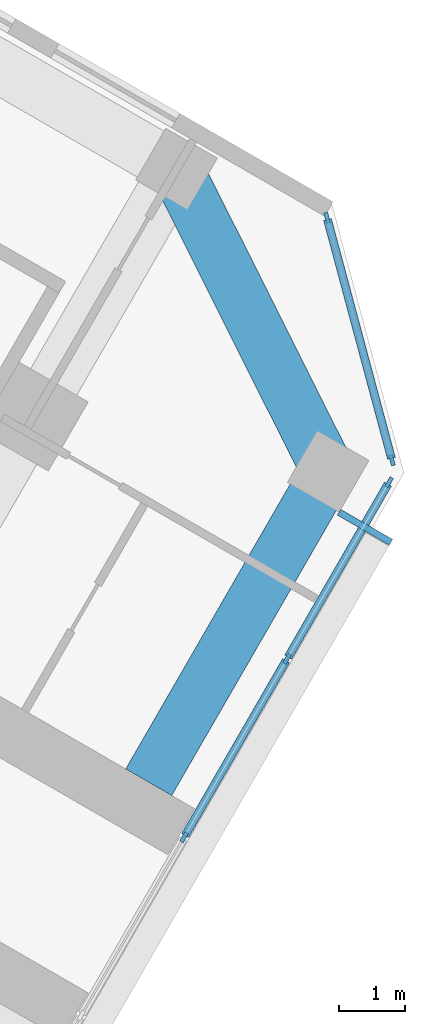
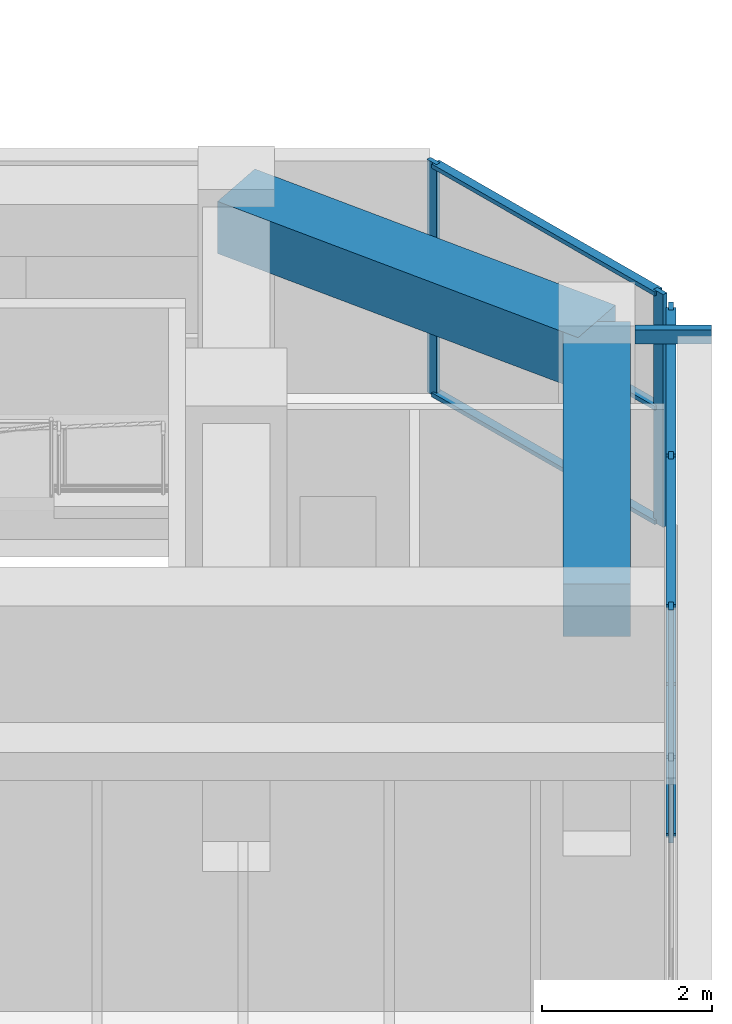
# One storey, part 8 of 20: 13 members, 2 beams, 2 elements without a shape of their own.
"""IFC4 building model written with IfcOpenShell, lengths in metres."""

from ifc_helpers import new_model, si_unit, direction, frame, origin, origin_2d, place, context, subcontext, project, spatial, rectangle, hollow_rectangle, extrude, material, material_profile, profile_set, type_object, element, aggregate, save


model = new_model("IFC4")

# Units and contexts
model_context = context("Model", 3, precision=1e-05, world=origin(), true_north=direction((0.0, 1.0)))
body_context = subcontext(model_context, "Body", "Model", "MODEL_VIEW")
ifc_project = project(units=[si_unit("LENGTHUNIT", "METRE"), si_unit("AREAUNIT", "SQUARE_METRE"), si_unit("VOLUMEUNIT", "CUBIC_METRE"), si_unit("PLANEANGLEUNIT", "RADIAN"), si_unit("MASSUNIT", "GRAM", prefix="KILO")], contexts=[model_context])

# Site, building, storey
site_placement = place(None, origin())
site = spatial("IfcSite", under=ifc_project, at=site_placement, CompositionType="ELEMENT")
building_placement = place(site_placement, origin())
building = spatial("IfcBuilding", under=site, at=building_placement, Name="Kosmar Iwan School Tower", CompositionType="ELEMENT")
storey_placement = place(building_placement, frame((0.0, 0.0, 176.0)))
storey = spatial("IfcBuildingStorey", under=building, at=storey_placement, Name="L44", CompositionType="ELEMENT", Elevation=176.0)

# Member
ifc_material_1 = material(Name="Steel S355", Category="steel")
ifc_material_profile_1 = material_profile(ifc_material_1, hollow_rectangle(XDim=0.10009765625, YDim=0.199951171875, WallThickness=0.008056640625, at=origin_2d()), Name="RHS 200x100x8")
ifc_profile_set_1 = profile_set([ifc_material_profile_1], Name="Steel S355")
member_type_1 = type_object("IfcMemberType", Name="Fin bracket RHS 200x100", PredefinedType="USERDEFINED", material=ifc_profile_set_1)
member_1_placement = place(storey_placement, frame((32.963134765625, -11.006103515625, 3.47509765625), z_axis=(0.866081705922, -0.499902469156, 0.0), x_axis=(0.499902469156, 0.866081705922, 0.0)))
element("IfcMember", 1, at=member_1_placement, inside=storey, type_object=member_type_1, Name="Fin bracket L45", ObjectType="FIN BRACKET", PredefinedType="USERDEFINED", context=body_context, shape_type="SweptSolid", body=[
    extrude(hollow_rectangle(XDim=0.10009765625, YDim=0.199951171875, WallThickness=0.008056640625, at=origin_2d()), origin(), (0.0, 0.0, 1.0), 0.900146484375),
])

# Curtain wall, members
ifc_material_2 = material(Name="Dark glass in black aluminium frame", Category="aluminium")
curtain_wall_type_1 = type_object("IfcCurtainWallType", Name="Tower curtain wall dark glass", PredefinedType="USERDEFINED", material=ifc_material_2)
curtain_wall_1_placement = place(storey_placement, origin())
curtain_wall_1 = element("IfcCurtainWall", 2, at=curtain_wall_1_placement, inside=storey, type_object=curtain_wall_type_1, Name="Curtain wall L44-F03", ObjectType="UNITISED CURTAIN WALL", PredefinedType="USERDEFINED")
ifc_material_3 = material(Name="Black anodised aluminium", Category="aluminium")
ifc_material_profile_2 = material_profile(ifc_material_3, rectangle(XDim=0.06005859375, YDim=0.159912109375, at=origin_2d()), Name="MULLION 60x160")
ifc_profile_set_2 = profile_set([ifc_material_profile_2], Name="Black anodised aluminium")
member_type_2 = type_object("IfcMemberType", Name="Mullion 60x160", PredefinedType="MULLION", material=ifc_profile_set_2)
member_2_placement = place(storey_placement, frame((30.631103515625, -15.8955078125, 0.0), z_axis=(0.0, 0.0, 1.0), x_axis=(-0.866025405329, 0.499999997325, 0.0)))
member_2 = element("IfcMember", 3, at=member_2_placement, type_object=member_type_2, Name="CW1 mullion 4", PredefinedType="MULLION", context=body_context, shape_type="SweptSolid", body=[
    extrude(rectangle(XDim=0.06005859375, YDim=0.159912109375, at=origin_2d()), origin(), (0.0, 0.0, 1.0), 3.35009765625),
])
member_3_placement = place(storey_placement, frame((32.1806640625, -13.21142578125, 0.0), z_axis=(0.0, 0.0, 1.0), x_axis=(-0.866025405329, 0.499999997325, 0.0)))
member_3 = element("IfcMember", 4, at=member_3_placement, type_object=member_type_2, Name="CW1 mullion 5", PredefinedType="MULLION", context=body_context, shape_type="SweptSolid", body=[
    extrude(rectangle(XDim=0.06005859375, YDim=0.159912109375, at=origin_2d()), origin(), (0.0, 0.0, 1.0), 3.35009765625),
])
member_4_placement = place(storey_placement, frame((33.71533203125, -10.55322265625, 0.0), z_axis=(0.0, 0.0, 1.0), x_axis=(-0.866025405329, 0.499999997325, 0.0)))
member_4 = element("IfcMember", 5, at=member_4_placement, type_object=member_type_2, Name="CW1 mullion 6", PredefinedType="MULLION", context=body_context, shape_type="SweptSolid", body=[
    extrude(rectangle(XDim=0.06005859375, YDim=0.159912109375, at=origin_2d()), origin(), (0.0, 0.0, 1.0), 3.35009765625),
])

ifc_material_4 = material(Name="Dark glass in black aluminium frame", Category="aluminium")
curtain_wall_type_2 = type_object("IfcCurtainWallType", Name="Chamfer curtain wall dark glass", PredefinedType="USERDEFINED", material=ifc_material_4)
curtain_wall_2_placement = place(storey_placement, origin())
curtain_wall_2 = element("IfcCurtainWall", 6, at=curtain_wall_2_placement, inside=storey, type_object=curtain_wall_type_2, Name="Curtain wall L44-F04", ObjectType="FACETED CURTAIN WALL", PredefinedType="USERDEFINED")
member_5_placement = place(storey_placement, frame((33.7587890625, -10.2236328125, 0.0), z_axis=(0.0, 0.0, 1.0), x_axis=(-0.965925875495, -0.258818861462, 0.0)))
member_5 = element("IfcMember", 7, at=member_5_placement, type_object=member_type_2, Name="CW2 mullion 1", PredefinedType="MULLION", context=body_context, shape_type="SweptSolid", body=[
    extrude(rectangle(XDim=0.06005859375, YDim=0.159912109375, at=origin_2d()), origin(), (0.0, 0.0, 1.0), 3.35009765625),
])
member_6_placement = place(storey_placement, frame((32.78076171875, -6.5732421875, 0.0), z_axis=(0.0, 0.0, 1.0), x_axis=(-0.965925875495, -0.258818861462, 0.0)))
member_6 = element("IfcMember", 8, at=member_6_placement, type_object=member_type_2, Name="CW2 mullion 2", PredefinedType="MULLION", context=body_context, shape_type="SweptSolid", body=[
    extrude(rectangle(XDim=0.06005859375, YDim=0.159912109375, at=origin_2d()), origin(), (0.0, 0.0, 1.0), 3.35009765625),
])

# Beams
ifc_material_5 = material(Name="Concrete C50/60", Category="concrete")
ifc_material_profile_3 = material_profile(ifc_material_5, rectangle(XDim=0.800048828125, YDim=0.75, at=origin_2d()), Name="RC 800x750")
ifc_profile_set_3 = profile_set([ifc_material_profile_3], Name="Concrete C50/60")
beam_type = type_object("IfcBeamType", Name="RC tip beam 800x750", PredefinedType="BEAM", material=ifc_profile_set_3)
beam_1_placement = place(storey_placement, frame((30.517822265625, -5.841552734375, 2.97509765625), z_axis=(0.44809604203, -0.893985423325, 0.0), x_axis=(0.893985423325, 0.44809604203, 0.0)))
element("IfcBeam", 9, at=beam_1_placement, inside=storey, type_object=beam_type, Name="Tip beam CL", PredefinedType="BEAM", context=body_context, shape_type="SweptSolid", body=[
    extrude(rectangle(XDim=0.800048828125, YDim=0.75, at=origin_2d()), origin(), (0.0, 0.0, 1.0), 5.08935546875),
])
beam_2_placement = place(storey_placement, frame((32.79833984375, -10.391357421875, 2.97509765625), z_axis=(-0.499995103361, -0.866028230842, 0.0), x_axis=(0.866028230842, -0.499995103361, 0.0)))
element("IfcBeam", 10, at=beam_2_placement, inside=storey, type_object=beam_type, Name="Tip beam CL to corridor wall", PredefinedType="BEAM", context=body_context, shape_type="SweptSolid", body=[
    extrude(rectangle(XDim=0.800048828125, YDim=0.75, at=origin_2d()), origin(), (0.0, 0.0, 1.0), 5.39990234375),
])

# Member
ifc_material_6 = material(Name="Black anodised aluminium", Category="aluminium")
ifc_material_profile_4 = material_profile(ifc_material_6, rectangle(XDim=0.1201171875, YDim=0.06005859375, at=origin_2d()), Name="TRANSOM 60x120")
ifc_profile_set_4 = profile_set([ifc_material_profile_4], Name="Black anodised aluminium")
member_type_3 = type_object("IfcMemberType", Name="Transom 60x120", PredefinedType="USERDEFINED", material=ifc_profile_set_4)
member_7_placement = place(storey_placement, frame((30.64599609375, -15.869384765625, 0.030029296875), z_axis=(0.500035348339, 0.866004994449, 0.0), x_axis=(-0.866004994449, 0.500035348339, 0.0)))
member_7 = element("IfcMember", 11, at=member_7_placement, type_object=member_type_3, Name="CW1 transom 4.1", ObjectType="TRANSOM", PredefinedType="USERDEFINED", context=body_context, shape_type="SweptSolid", body=[
    extrude(rectangle(XDim=0.1201171875, YDim=0.06005859375, at=origin_2d()), origin(), (0.0, 0.0, 1.0), 3.039306640625),
])

member_8_placement = place(storey_placement, frame((30.64599609375, -15.869384765625, 3.320068359375), z_axis=(0.500035348339, 0.866004994449, 0.0), x_axis=(-0.866004994449, 0.500035348339, 0.0)))
member_8 = element("IfcMember", 12, at=member_8_placement, type_object=member_type_3, Name="CW1 transom 4.2", ObjectType="TRANSOM", PredefinedType="USERDEFINED", context=body_context, shape_type="SweptSolid", body=[
    extrude(rectangle(XDim=0.1201171875, YDim=0.06005859375, at=origin_2d()), origin(), (0.0, 0.0, 1.0), 3.039306640625),
])

member_9_placement = place(storey_placement, frame((32.19580078125, -13.185302734375, 0.030029296875), z_axis=(0.500022102064, 0.866012642776, 0.0), x_axis=(-0.866012642776, 0.500022102064, 0.0)))
member_9 = element("IfcMember", 13, at=member_9_placement, type_object=member_type_3, Name="CW1 transom 5.1", ObjectType="TRANSOM", PredefinedType="USERDEFINED", context=body_context, shape_type="SweptSolid", body=[
    extrude(rectangle(XDim=0.1201171875, YDim=0.06005859375, at=origin_2d()), origin(), (0.0, 0.0, 1.0), 3.009033203125),
])

member_10_placement = place(storey_placement, frame((32.19580078125, -13.185302734375, 3.320068359375), z_axis=(0.500022102064, 0.866012642776, 0.0), x_axis=(-0.866012642776, 0.500022102064, 0.0)))
member_10 = element("IfcMember", 14, at=member_10_placement, type_object=member_type_3, Name="CW1 transom 5.2", ObjectType="TRANSOM", PredefinedType="USERDEFINED", context=body_context, shape_type="SweptSolid", body=[
    extrude(rectangle(XDim=0.1201171875, YDim=0.06005859375, at=origin_2d()), origin(), (0.0, 0.0, 1.0), 3.009033203125),
])

aggregate(curtain_wall_1, [member_2, member_3, member_4, member_7, member_8, member_9, member_10])

member_11_placement = place(storey_placement, frame((33.7509765625, -10.194580078125, 0.030029296875), z_axis=(-0.258843273983, 0.965919333854, 0.0), x_axis=(-0.965919333854, -0.258843273983, 0.0)))
member_11 = element("IfcMember", 15, at=member_11_placement, type_object=member_type_3, Name="CW2 transom 1.1", ObjectType="TRANSOM", PredefinedType="USERDEFINED", context=body_context, shape_type="SweptSolid", body=[
    extrude(rectangle(XDim=0.1201171875, YDim=0.06005859375, at=origin_2d()), origin(), (0.0, 0.0, 1.0), 3.718994140625),
])

member_12_placement = place(storey_placement, frame((33.7509765625, -10.194580078125, 1.675048828125), z_axis=(-0.258843273983, 0.965919333854, 0.0), x_axis=(-0.965919333854, -0.258843273983, 0.0)))
member_12 = element("IfcMember", 16, at=member_12_placement, type_object=member_type_3, Name="CW2 transom 1.2", ObjectType="TRANSOM", PredefinedType="USERDEFINED", context=body_context, shape_type="SweptSolid", body=[
    extrude(rectangle(XDim=0.1201171875, YDim=0.06005859375, at=origin_2d()), origin(), (0.0, 0.0, 1.0), 3.718994140625),
])

member_13_placement = place(storey_placement, frame((33.7509765625, -10.194580078125, 3.320068359375), z_axis=(-0.258843273983, 0.965919333854, 0.0), x_axis=(-0.965919333854, -0.258843273983, 0.0)))
member_13 = element("IfcMember", 17, at=member_13_placement, type_object=member_type_3, Name="CW2 transom 1.3", ObjectType="TRANSOM", PredefinedType="USERDEFINED", context=body_context, shape_type="SweptSolid", body=[
    extrude(rectangle(XDim=0.1201171875, YDim=0.06005859375, at=origin_2d()), origin(), (0.0, 0.0, 1.0), 3.718994140625),
])

aggregate(curtain_wall_2, [member_5, member_6, member_11, member_12, member_13])

save(model, "model.ifc")
